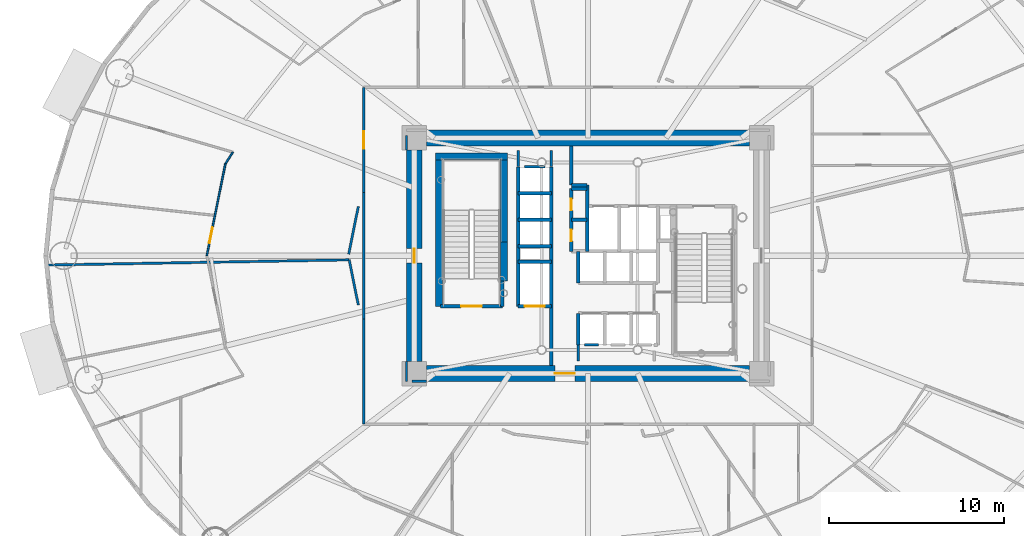
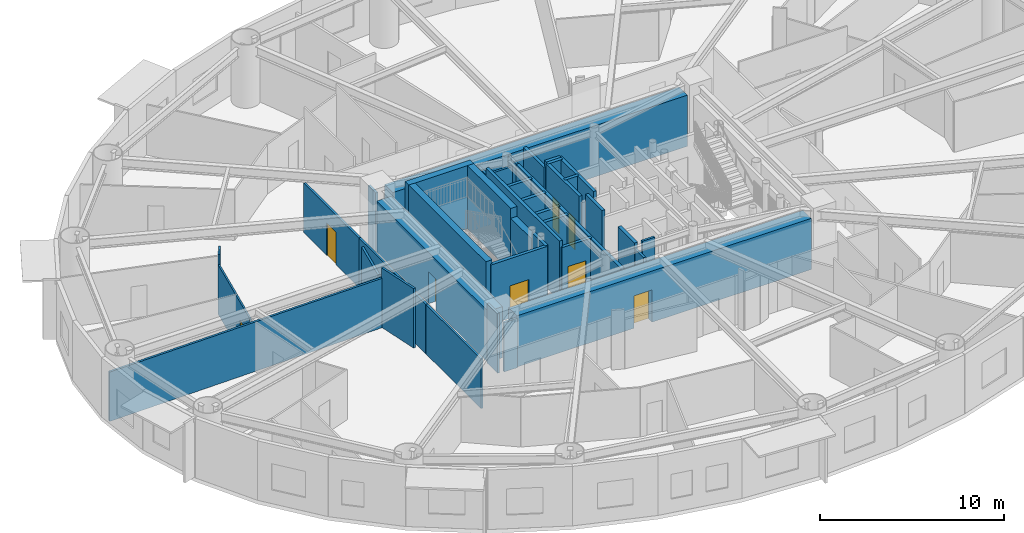
# One storey, part 9 of 21: 40 walls, 8 doors, 8 openings.
"""IFC4 building model written with IfcOpenShell, lengths in metres."""

from ifc_helpers import new_model, si_unit, direction, frame, frame_2d, origin, origin_2d, place, context, subcontext, project, spatial, rectangle, extrude, source, transform, mapped, material, layer, layer_set, type_object, element, fill, save


model = new_model("IFC4")

# Units and contexts
model_context = context("Model", 3, precision=1e-05, world=origin(), true_north=direction((0.0, 1.0)))
body_context = subcontext(model_context, "Body", "Model", "MODEL_VIEW")
ifc_project = project(units=[si_unit("LENGTHUNIT", "METRE"), si_unit("AREAUNIT", "SQUARE_METRE"), si_unit("VOLUMEUNIT", "CUBIC_METRE"), si_unit("PLANEANGLEUNIT", "RADIAN"), si_unit("MASSUNIT", "GRAM", prefix="KILO")], contexts=[model_context])

# Site, building, storey
site_placement = place(None, origin())
site = spatial("IfcSite", under=ifc_project, at=site_placement, CompositionType="ELEMENT")
building_placement = place(site_placement, origin())
building = spatial("IfcBuilding", under=site, at=building_placement, Name="Linh Dai School and Residence Tower", CompositionType="ELEMENT")
storey_placement = place(building_placement, frame((0.0, 0.0, 78.60009765625)))
storey = spatial("IfcBuildingStorey", under=building, at=storey_placement, Name="L18", CompositionType="ELEMENT", Elevation=78.60009765625)

# Walls
ifc_material_1 = material(Name="Autoclaved Aerated Concrete Blockwork", Category="masonry")
ifc_layer_1 = layer(ifc_material_1, 0.135009765625)
ifc_layer_set_1 = layer_set([ifc_layer_1], Name="Autoclaved Aerated Concrete Blockwork")
wall_type_1 = type_object("IfcWallType", Name="IW-CORR-135-EI90", PredefinedType="PARTITIONING", material=ifc_layer_set_1)
wall_1_placement = place(storey_placement, frame((4.9736328125, 26.466064453125, 0.0), z_axis=(0.0, 0.0, 1.0), x_axis=(0.999851881099, 0.017210922752, 0.0)))
element("IfcWall", 1, at=wall_1_placement, inside=storey, type_object=wall_type_1, Name="L18 Interior Partition Wall 001", PredefinedType="PARTITIONING", context=body_context, shape_type="SweptSolid", body=[
    extrude(rectangle(XDim=17.3486328125, YDim=0.135009765625, at=frame_2d((8.67431640625, 0.0))), origin(), (0.0, 0.0, 1.0), 3.284912109375),
])
wall_2_placement = place(storey_placement, frame((23.14990234375, 17.35009765625, 0.0), z_axis=(0.0, 0.0, 1.0), x_axis=(0.0, 1.0, 0.0)))
element("IfcWall", 2, at=wall_2_placement, inside=storey, type_object=wall_type_1, Name="L18 Interior Partition Wall 018", PredefinedType="PARTITIONING", context=body_context, shape_type="SweptSolid", body=[
    extrude(rectangle(XDim=6.011474609375, YDim=0.135009765625, at=frame_2d((3.005859375, 0.0))), origin(), (0.0, 0.0, 1.0), 3.284912109375),
])

# Wall, opening, door
wall_3_placement = place(storey_placement, frame((23.14990234375, 30.638427734375, 0.0), z_axis=(0.0, 0.0, 1.0), x_axis=(0.0, 1.0, 0.0)))
wall_3 = element("IfcWall", 3, at=wall_3_placement, inside=storey, type_object=wall_type_1, Name="L18 Interior Partition Wall 020", PredefinedType="PARTITIONING", context=body_context, shape_type="SweptSolid", body=[
    extrude(rectangle(XDim=6.011474609375, YDim=0.135009765625, at=frame_2d((3.005859375, 0.0))), origin(), (0.0, 0.0, 1.0), 3.284912109375),
])
opening_1_placement = place(wall_3_placement, frame((2.505859375, 0.0, 0.0)))
opening_1 = element("IfcOpeningElement", 4, at=opening_1_placement, cuts=wall_3, Name="Opening D03", PredefinedType="OPENING", context=body_context, shape_type="SweptSolid", body=[
    extrude(rectangle(XDim=1.0, YDim=2.14990234375, at=origin_2d()), frame((0.5, 0.07763671875, 1.074951171875), z_axis=(0.0, -1.0, 0.0), x_axis=(1.0, 0.0, 0.0)), (0.0, 0.0, 1.0), 0.155029296875),
])
ifc_material_2 = material(Name="Fire-Rated Solid Timber Entrance Door", Category="wood")
door_type_1 = type_object("IfcDoorType", Name="DR-FLAT-1000x2150-FD60S", OperationType="NOTDEFINED", PredefinedType="DOOR", material=ifc_material_2)
shared_shape_1 = source(origin(), body_context, "Body", "SweptSolid", [
    extrude(rectangle(XDim=1.0, YDim=2.14990234375, at=origin_2d()), frame((0.5, 0.02490234375, 1.074951171875), z_axis=(0.0, -1.0, 0.0), x_axis=(1.0, 0.0, 0.0)), (0.0, 0.0, 1.0), 0.050048828125),
])
door_1_placement = place(opening_1_placement, origin())
door_1 = element("IfcDoor", 5, at=door_1_placement, inside=storey, type_object=door_type_1, Name="L18 U1801 Apartment Entrance Door", OperationType="SINGLE_SWING_LEFT", OverallHeight=2.14990234375, OverallWidth=1.0, PredefinedType="DOOR", context=body_context, shape_type="MappedRepresentation", body=[
    mapped(shared_shape_1, transform((0.0, 0.0, 0.0), x_axis=(1.0, 0.0, 0.0), y_axis=(0.0, 1.0, 0.0), z_axis=(0.0, 0.0, 1.0), scale=1.0)),
])
fill(opening_1, door_1)

# Walls
wall_4_placement = place(storey_placement, frame((36.60009765625, 21.89990234375, 0.0), z_axis=(0.0, 0.0, 1.0), x_axis=(-1.0, 0.0, 0.0)))
element("IfcWall", 6, at=wall_4_placement, inside=storey, type_object=wall_type_1, Name="L18 Interior Partition Wall 101", PredefinedType="PARTITIONING", context=body_context, shape_type="SweptSolid", body=[
    extrude(rectangle(XDim=0.7900390625, YDim=0.135009765625, at=frame_2d((0.39501953125, 0.0))), origin(), (0.0, 0.0, 1.0), 3.949951171875),
])
wall_5_placement = place(storey_placement, frame((32.360107421875, 32.10009765625, 0.0), z_axis=(0.0, 0.0, 1.0), x_axis=(1.0, 0.0, 0.0)))
element("IfcWall", 7, at=wall_5_placement, inside=storey, type_object=wall_type_1, Name="L18 Interior Partition Wall 104", PredefinedType="PARTITIONING", context=body_context, shape_type="SweptSolid", body=[
    extrude(rectangle(XDim=1.179931640625, YDim=0.135009765625, at=frame_2d((0.58984375, 0.0))), origin(), (0.0, 0.0, 1.0), 3.534912109375),
])
wall_6_placement = place(storey_placement, frame((32.0, 33.0400390625, 0.0), z_axis=(0.0, 0.0, 1.0), x_axis=(0.0, -1.0, 0.0)))
element("IfcWall", 8, at=wall_6_placement, inside=storey, type_object=wall_type_1, Name="L18 Interior Partition Wall 106", PredefinedType="PARTITIONING", context=body_context, shape_type="SweptSolid", body=[
    extrude(rectangle(XDim=0.929931640625, YDim=0.135009765625, at=frame_2d((0.46484375, 0.0))), origin(), (0.0, 0.0, 1.0), 3.48486328125),
])
for number, where, z_axis, x_axis, name in (
    (9, (35.449951171875, 21.889892578125, 0.0), (0.0, 0.0, 1.0), (0.0, -1.0, 0.0), "L18 Interior Partition Wall 108"),
    (10, (33.89990234375, 32.110107421875, 0.0), (0.0, 0.0, 1.0), (0.0, 1.0, 0.0), "L18 Interior Partition Wall 109"),
):
    element("IfcWall", number, at=place(storey_placement, frame(where, z_axis=z_axis, x_axis=x_axis)), inside=storey, type_object=wall_type_1, Name=name, PredefinedType="PARTITIONING", context=body_context, shape_type="SweptSolid", body=[
        extrude(rectangle(XDim=0.929931640625, YDim=0.135009765625, at=frame_2d((0.46484375, 0.0))), origin(), (0.0, 0.0, 1.0), 3.534912109375),
    ])
wall_7_placement = place(storey_placement, frame((23.14990234375, 23.37158203125, 0.0), z_axis=(0.0, 0.0, 1.0), x_axis=(0.0, 1.0, 0.0)))
element("IfcWall", 11, at=wall_7_placement, inside=storey, type_object=wall_type_1, Name="L18 Interior Partition Wall 115", PredefinedType="PARTITIONING", context=body_context, shape_type="SweptSolid", body=[
    extrude(rectangle(XDim=7.2568359375, YDim=0.135009765625, at=frame_2d((3.62841796875, 0.0))), origin(), (0.0, 0.0, 1.0), 3.284912109375),
])
wall_8_placement = place(storey_placement, frame((25.60009765625, 33.892578125, 0.0), z_axis=(0.0, 0.0, 1.0), x_axis=(0.0, -1.0, 0.0)))
element("IfcWall", 12, at=wall_8_placement, inside=storey, type_object=wall_type_1, Name="L18 Interior Partition Wall 118", PredefinedType="PARTITIONING", context=body_context, shape_type="SweptSolid", body=[
    extrude(rectangle(XDim=0.83251953125, YDim=0.135009765625, at=frame_2d((0.416259765625, 0.0))), origin(), (0.0, 0.0, 1.0), 3.949951171875),
])
wall_9_placement = place(storey_placement, frame((25.60009765625, 20.93994140625, 0.0), z_axis=(0.0, 0.0, 1.0), x_axis=(0.0, -1.0, 0.0)))
element("IfcWall", 13, at=wall_9_placement, inside=storey, type_object=wall_type_1, Name="L18 Interior Partition Wall 119", PredefinedType="PARTITIONING", context=body_context, shape_type="SweptSolid", body=[
    extrude(rectangle(XDim=1.139892578125, YDim=0.135009765625, at=frame_2d((0.56982421875, 0.0))), origin(), (0.0, 0.0, 1.0), 3.949951171875),
])
wall_10_placement = place(storey_placement, frame((25.907470703125, 19.800048828125, 0.0), z_axis=(0.0, 0.0, 1.0), x_axis=(1.0, 0.0, 0.0)))
element("IfcWall", 14, at=wall_10_placement, inside=storey, type_object=wall_type_1, Name="L18 Interior Partition Wall 120", PredefinedType="PARTITIONING", context=body_context, shape_type="SweptSolid", body=[
    extrude(rectangle(XDim=0.83251953125, YDim=0.135009765625, at=frame_2d((0.416259765625, 0.0))), origin(), (0.0, 0.0, 1.0), 3.284912109375),
])
wall_11_placement = place(storey_placement, frame((22.842529296875, 29.8203125, 0.0), z_axis=(0.0, 0.0, 1.0), x_axis=(-0.198274261102, -0.98014657954, 0.0)))
element("IfcWall", 15, at=wall_11_placement, inside=storey, type_object=wall_type_1, Name="L18 Interior Partition Wall 126", PredefinedType="PARTITIONING", context=body_context, shape_type="SweptSolid", body=[
    extrude(rectangle(XDim=2.783935546875, YDim=0.135009765625, at=frame_2d((1.39208984375, 0.0))), origin(), (0.0, 0.0, 1.0), 3.284912109375),
])
wall_12_placement = place(storey_placement, frame((22.319580078125, 26.7646484375, 0.0), z_axis=(0.0, 0.0, 1.0), x_axis=(0.198287516938, -0.980143897918, 0.0)))
element("IfcWall", 16, at=wall_12_placement, inside=storey, type_object=wall_type_1, Name="L18 Interior Partition Wall 128", PredefinedType="PARTITIONING", context=body_context, shape_type="SweptSolid", body=[
    extrude(rectangle(XDim=2.63720703125, YDim=0.135009765625, at=frame_2d((1.318603515625, 0.0))), origin(), (0.0, 0.0, 1.0), 3.949951171875),
])

# Wall, opening, door
ifc_material_3 = material(Name="Concrete B45 (C35/45)", Category="concrete")
ifc_layer_2 = layer(ifc_material_3, 0.199951171875)
ifc_layer_set_2 = layer_set([ifc_layer_2], Name="Concrete B45 (C35/45)")
wall_type_2 = type_object("IfcWallType", Name="IW-SHAFT-200-EI120", PredefinedType="PARTITIONING", material=ifc_layer_set_2)
wall_13_placement = place(storey_placement, frame((27.56005859375, 24.10009765625, 0.0), z_axis=(0.0, 0.0, 1.0), x_axis=(1.0, 0.0, 0.0)))
wall_13 = element("IfcWall", 17, at=wall_13_placement, inside=storey, type_object=wall_type_2, Name="L18 Interior Partition Wall 026", PredefinedType="PARTITIONING", context=body_context, shape_type="SweptSolid", body=[
    extrude(rectangle(XDim=3.5400390625, YDim=0.199951171875, at=frame_2d((1.77001953125, 0.0))), origin(), (0.0, 0.0, 1.0), 3.949951171875),
])
opening_2_placement = place(wall_13_placement, frame((1.169921875, 0.0, 0.0)))
opening_2 = element("IfcOpeningElement", 18, at=opening_2_placement, cuts=wall_13, Name="Opening D01", PredefinedType="OPENING", context=body_context, shape_type="SweptSolid", body=[
    extrude(rectangle(XDim=1.199951171875, YDim=2.14990234375, at=origin_2d()), frame((0.60009765625, 0.10986328125, 1.074951171875), z_axis=(0.0, -1.0, 0.0), x_axis=(1.0, 0.0, 0.0)), (0.0, 0.0, 1.0), 0.219970703125),
])
ifc_material_4 = material(Name="Fire-Rated Steel Door Leaf", Category="steel")
door_type_2 = type_object("IfcDoorType", Name="DR-STAIR-1200x2150-FD90S", OperationType="NOTDEFINED", PredefinedType="DOOR", material=ifc_material_4)
shared_shape_2 = source(origin(), body_context, "Body", "SweptSolid", [
    extrude(rectangle(XDim=1.199951171875, YDim=2.14990234375, at=origin_2d()), frame((0.60009765625, 0.02490234375, 1.074951171875), z_axis=(0.0, -1.0, 0.0), x_axis=(1.0, 0.0, 0.0)), (0.0, 0.0, 1.0), 0.050048828125),
])
door_2_placement = place(opening_2_placement, origin())
door_2 = element("IfcDoor", 19, at=door_2_placement, inside=storey, type_object=door_type_2, Name="L18 Core Smokeproof Exit Stair ST1 Door", OperationType="SINGLE_SWING_LEFT", OverallHeight=2.14990234375, OverallWidth=1.199951171875, PredefinedType="DOOR", context=body_context, shape_type="MappedRepresentation", body=[
    mapped(shared_shape_2, transform((0.0, 0.0, 0.0), x_axis=(1.0, 0.0, 0.0), y_axis=(0.0, 1.0, 0.0), z_axis=(0.0, 0.0, 1.0), scale=1.0)),
])
fill(opening_2, door_2)

# Walls
wall_14_placement = place(storey_placement, frame((31.10009765625, 24.10009765625, 0.0), z_axis=(0.0, 0.0, 1.0), x_axis=(0.0, 1.0, 0.0)))
element("IfcWall", 20, at=wall_14_placement, inside=storey, type_object=wall_type_2, Name="L18 Interior Partition Wall 033", PredefinedType="PARTITIONING", context=body_context, shape_type="SweptSolid", body=[
    extrude(rectangle(XDim=1.43994140625, YDim=0.199951171875, at=frame_2d((0.719970703125, 0.0))), origin(), (0.0, 0.0, 1.0), 3.949951171875),
])
wall_15_placement = place(storey_placement, frame((32.0, 24.10009765625, 0.0), z_axis=(0.0, 0.0, 1.0), x_axis=(0.0, 1.0, 0.0)))
element("IfcWall", 21, at=wall_15_placement, inside=storey, type_object=wall_type_2, Name="L18 Interior Partition Wall 034", PredefinedType="PARTITIONING", context=body_context, shape_type="SweptSolid", body=[
    extrude(rectangle(XDim=8.0, YDim=0.199951171875, at=frame_2d((4.0, 0.0))), origin(), (0.0, 0.0, 1.0), 3.949951171875),
])

# Wall, opening, door
wall_16_placement = place(storey_placement, frame((32.0, 24.10009765625, 0.0), z_axis=(0.0, 0.0, 1.0), x_axis=(1.0, 0.0, 0.0)))
wall_16 = element("IfcWall", 22, at=wall_16_placement, inside=storey, type_object=wall_type_2, Name="L18 Interior Partition Wall 035", PredefinedType="PARTITIONING", context=body_context, shape_type="SweptSolid", body=[
    extrude(rectangle(XDim=1.89990234375, YDim=0.199951171875, at=frame_2d((0.949951171875, 0.0))), origin(), (0.0, 0.0, 1.0), 3.534912109375),
])
opening_3_placement = place(wall_16_placement, frame((0.375, 0.0, 0.0)))
opening_3 = element("IfcOpeningElement", 23, at=opening_3_placement, cuts=wall_16, Name="Opening LD-FF2", PredefinedType="OPENING", context=body_context, shape_type="SweptSolid", body=[
    extrude(rectangle(XDim=1.14990234375, YDim=2.14990234375, at=origin_2d()), frame((0.574951171875, 0.10986328125, 1.074951171875), z_axis=(0.0, -1.0, 0.0), x_axis=(1.0, 0.0, 0.0)), (0.0, 0.0, 1.0), 0.219970703125),
])
ifc_material_5 = material(Name="Fire-Rated Stainless Steel Firefighting Lift Door", Category="steel")
door_type_3 = type_object("IfcDoorType", Name="DR-LD-FF-1150x2150-FD120", OperationType="DOUBLE_DOOR_SLIDING", PredefinedType="USERDEFINED", material=ifc_material_5)
shared_shape_3 = source(origin(), body_context, "Body", "SweptSolid", [
    extrude(rectangle(XDim=1.14990234375, YDim=2.14990234375, at=origin_2d()), frame((0.574951171875, 0.02490234375, 1.074951171875), z_axis=(0.0, -1.0, 0.0), x_axis=(1.0, 0.0, 0.0)), (0.0, 0.0, 1.0), 0.050048828125),
])
door_3_placement = place(opening_3_placement, origin())
door_3 = element("IfcDoor", 24, at=door_3_placement, inside=storey, type_object=door_type_3, Name="L18 Lift FF2 Sliding Landing Door", ObjectType="LANDING DOOR", OperationType="DOUBLE_DOOR_SLIDING", OverallHeight=2.14990234375, OverallWidth=1.14990234375, PredefinedType="USERDEFINED", context=body_context, shape_type="MappedRepresentation", body=[
    mapped(shared_shape_3, transform((0.0, 0.0, 0.0), x_axis=(1.0, 0.0, 0.0), y_axis=(0.0, 1.0, 0.0), z_axis=(0.0, 0.0, 1.0), scale=1.0)),
])
fill(opening_3, door_3)

# Walls
for number, where, z_axis, x_axis, name in (
    (25, (32.0, 26.64990234375, 0.0), (0.0, 0.0, 1.0), (1.0, 0.0, 0.0), "L18 Interior Partition Wall 036"),
    (26, (32.0, 27.550048828125, 0.0), (0.0, 0.0, 1.0), (1.0, 0.0, 0.0), "L18 Interior Partition Wall 037"),
    (27, (32.0, 29.06005859375, 0.0), (0.0, 0.0, 1.0), (1.0, 0.0, 0.0), "L18 Interior Partition Wall 038"),
    (28, (32.0, 30.580078125, 0.0), (0.0, 0.0, 1.0), (1.0, 0.0, 0.0), "L18 Interior Partition Wall 039"),
):
    element("IfcWall", number, at=place(storey_placement, frame(where, z_axis=z_axis, x_axis=x_axis)), inside=storey, type_object=wall_type_2, Name=name, PredefinedType="PARTITIONING", context=body_context, shape_type="SweptSolid", body=[
        extrude(rectangle(XDim=1.89990234375, YDim=0.199951171875, at=frame_2d((0.949951171875, 0.0))), origin(), (0.0, 0.0, 1.0), 3.534912109375),
    ])
wall_17_placement = place(storey_placement, frame((33.89990234375, 20.699951171875, 0.0), z_axis=(0.0, 0.0, 1.0), x_axis=(0.0, 1.0, 0.0)))
element("IfcWall", 29, at=wall_17_placement, inside=storey, type_object=wall_type_2, Name="L18 Interior Partition Wall 041", PredefinedType="PARTITIONING", context=body_context, shape_type="SweptSolid", body=[
    extrude(rectangle(XDim=11.400146484375, YDim=0.199951171875, at=frame_2d((5.7001953125, 0.0))), origin(), (0.0, 0.0, 1.0), 3.534912109375),
])

# Wall, openings, doors
wall_18_placement = place(storey_placement, frame((35.050048828125, 27.25, 0.0), z_axis=(0.0, 0.0, 1.0), x_axis=(0.0, 1.0, 0.0)))
wall_18 = element("IfcWall", 30, at=wall_18_placement, inside=storey, type_object=wall_type_2, Name="L18 Interior Partition Wall 042", PredefinedType="PARTITIONING", context=body_context, shape_type="SweptSolid", body=[
    extrude(rectangle(XDim=3.60009765625, YDim=0.199951171875, at=frame_2d((1.800048828125, 0.0))), origin(), (0.0, 0.0, 1.0), 3.949951171875),
])
opening_4_placement = place(wall_18_placement, frame((0.590087890625, 0.0, 0.0)))
opening_4 = element("IfcOpeningElement", 31, at=opening_4_placement, cuts=wall_18, Name="Opening AD1", PredefinedType="OPENING", context=body_context, shape_type="SweptSolid", body=[
    extrude(rectangle(XDim=0.659912109375, YDim=2.050048828125, at=origin_2d()), frame((0.330078125, 0.10986328125, 1.02490234375), z_axis=(0.0, -1.0, 0.0), x_axis=(1.0, 0.0, 0.0)), (0.0, 0.0, 1.0), 0.219970703125),
])
opening_5_placement = place(wall_18_placement, frame((2.35009765625, 0.0, 0.0)))
opening_5 = element("IfcOpeningElement", 32, at=opening_5_placement, cuts=wall_18, Name="Opening AD1", PredefinedType="OPENING", context=body_context, shape_type="SweptSolid", body=[
    extrude(rectangle(XDim=0.659912109375, YDim=2.050048828125, at=origin_2d()), frame((0.330078125, 0.10986328125, 1.02490234375), z_axis=(0.0, -1.0, 0.0), x_axis=(1.0, 0.0, 0.0)), (0.0, 0.0, 1.0), 0.219970703125),
])
ifc_material_6 = material(Name="Fire-Rated Steel Riser Access Door", Category="steel")
door_type_4 = type_object("IfcDoorType", Name="DR-ACC-660x2050-FD90S", OperationType="NOTDEFINED", PredefinedType="USERDEFINED", material=ifc_material_6)
shared_shape_4 = source(origin(), body_context, "Body", "SweptSolid", [
    extrude(rectangle(XDim=0.659912109375, YDim=2.050048828125, at=origin_2d()), frame((0.330078125, 0.02490234375, 1.02490234375), z_axis=(0.0, -1.0, 0.0), x_axis=(1.0, 0.0, 0.0)), (0.0, 0.0, 1.0), 0.050048828125),
])
door_4_placement = place(opening_4_placement, origin())
door_4 = element("IfcDoor", 33, at=door_4_placement, inside=storey, type_object=door_type_4, Name="L18 Telecom and Data Riser Access Door", ObjectType="ACCESS DOOR", OperationType="SINGLE_SWING_RIGHT", OverallHeight=2.050048828125, OverallWidth=0.659912109375, PredefinedType="USERDEFINED", context=body_context, shape_type="MappedRepresentation", body=[
    mapped(shared_shape_4, transform((0.0, 0.0, 0.0), x_axis=(1.0, 0.0, 0.0), y_axis=(0.0, 1.0, 0.0), z_axis=(0.0, 0.0, 1.0), scale=1.0)),
])
fill(opening_4, door_4)
door_5_placement = place(opening_5_placement, origin())
door_5 = element("IfcDoor", 34, at=door_5_placement, inside=storey, type_object=door_type_4, Name="L18 Mechanical and Plumbing Riser Access Door", ObjectType="ACCESS DOOR", OperationType="SINGLE_SWING_LEFT", OverallHeight=2.050048828125, OverallWidth=0.659912109375, PredefinedType="USERDEFINED", context=body_context, shape_type="MappedRepresentation", body=[
    mapped(shared_shape_4, transform((0.0, 0.0, 0.0), x_axis=(1.0, 0.0, 0.0), y_axis=(0.0, 1.0, 0.0), z_axis=(0.0, 0.0, 1.0), scale=1.0)),
])
fill(opening_5, door_5)

# Walls
for number, where, z_axis, x_axis, name in (
    (35, (35.050048828125, 29.050048828125, 0.0), (0.0, 0.0, 1.0), (1.0, 0.0, 0.0), "L18 Interior Partition Wall 044"),
    (36, (35.050048828125, 30.85009765625, 0.0), (0.0, 0.0, 1.0), (1.0, 0.0, 0.0), "L18 Interior Partition Wall 045"),
):
    element("IfcWall", number, at=place(storey_placement, frame(where, z_axis=z_axis, x_axis=x_axis)), inside=storey, type_object=wall_type_2, Name=name, PredefinedType="PARTITIONING", context=body_context, shape_type="SweptSolid", body=[
        extrude(rectangle(XDim=0.89990234375, YDim=0.199951171875, at=frame_2d((0.449951171875, 0.0))), origin(), (0.0, 0.0, 1.0), 3.949951171875),
    ])
wall_19_placement = place(storey_placement, frame((35.050048828125, 31.050048828125, 0.0), z_axis=(0.0, 0.0, 1.0), x_axis=(0.0, 1.0, 0.0)))
element("IfcWall", 37, at=wall_19_placement, inside=storey, type_object=wall_type_2, Name="L18 Interior Partition Wall 046", PredefinedType="PARTITIONING", context=body_context, shape_type="SweptSolid", body=[
    extrude(rectangle(XDim=2.25, YDim=0.199951171875, at=frame_2d((1.125, 0.0))), origin(), (0.0, 0.0, 1.0), 3.534912109375),
])
wall_20_placement = place(storey_placement, frame((35.050048828125, 31.050048828125, 0.0), z_axis=(0.0, 0.0, 1.0), x_axis=(1.0, 0.0, 0.0)))
element("IfcWall", 38, at=wall_20_placement, inside=storey, type_object=wall_type_2, Name="L18 Interior Partition Wall 047", PredefinedType="PARTITIONING", context=body_context, shape_type="SweptSolid", body=[
    extrude(rectangle(XDim=0.89990234375, YDim=0.199951171875, at=frame_2d((0.449951171875, 0.0))), origin(), (0.0, 0.0, 1.0), 3.949951171875),
])
for number, where, z_axis, x_axis, name in (
    (39, (35.449951171875, 21.89990234375, 0.0), (0.0, 0.0, 1.0), (0.0, 1.0, 0.0), "L18 Interior Partition Wall 048"),
    (40, (35.449951171875, 25.449951171875, 0.0), (0.0, 0.0, 1.0), (0.0, 1.0, 0.0), "L18 Interior Partition Wall 050"),
):
    element("IfcWall", number, at=place(storey_placement, frame(where, z_axis=z_axis, x_axis=x_axis)), inside=storey, type_object=wall_type_2, Name=name, PredefinedType="PARTITIONING", context=body_context, shape_type="SweptSolid", body=[
        extrude(rectangle(XDim=1.800048828125, YDim=0.199951171875, at=frame_2d((0.89990234375, 0.0))), origin(), (0.0, 0.0, 1.0), 3.949951171875),
    ])
wall_21_placement = place(storey_placement, frame((35.949951171875, 27.25, 0.0), z_axis=(0.0, 0.0, 1.0), x_axis=(0.0, 1.0, 0.0)))
element("IfcWall", 41, at=wall_21_placement, inside=storey, type_object=wall_type_2, Name="L18 Interior Partition Wall 052", PredefinedType="PARTITIONING", context=body_context, shape_type="SweptSolid", body=[
    extrude(rectangle(XDim=3.800048828125, YDim=0.199951171875, at=frame_2d((1.89990234375, 0.0))), origin(), (0.0, 0.0, 1.0), 3.949951171875),
])

# Wall, opening, door
ifc_material_7 = material(Name="Gypsum Plasterboard Acoustic Stud Partition", Category="masonry")
ifc_layer_3 = layer(ifc_material_7, 0.10009765625)
ifc_layer_set_3 = layer_set([ifc_layer_3], Name="Gypsum Plasterboard Acoustic Stud Partition")
wall_type_3 = type_object("IfcWallType", Name="IW-UNIT-100", PredefinedType="PARTITIONING", material=ifc_layer_set_3)
wall_22_placement = place(storey_placement, frame((14.159912109375, 27.0, 0.0), z_axis=(0.0, 0.0, 1.0), x_axis=(0.198292702032, 0.980142848936, 0.0)))
wall_22 = element("IfcWall", 42, at=wall_22_placement, inside=storey, type_object=wall_type_3, Name="L18 Interior Partition Wall 011", PredefinedType="PARTITIONING", context=body_context, shape_type="SweptSolid", body=[
    extrude(rectangle(XDim=5.3916015625, YDim=0.10009765625, at=frame_2d((2.69580078125, 0.0))), origin(), (0.0, 0.0, 1.0), 3.284912109375),
])
opening_6_placement = place(wall_22_placement, frame((0.748779296875, 0.0, 0.0)))
opening_6 = element("IfcOpeningElement", 43, at=opening_6_placement, cuts=wall_22, Name="Opening D05", PredefinedType="OPENING", context=body_context, shape_type="SweptSolid", body=[
    extrude(rectangle(XDim=0.89990234375, YDim=2.10009765625, at=origin_2d()), frame((0.449951171875, 0.06005859375, 1.050048828125), z_axis=(0.0, -1.0, 0.0), x_axis=(1.0, 0.0, 0.0)), (0.0, 0.0, 1.0), 0.1201171875),
])
ifc_material_8 = material(Name="Engineered Timber Internal Door", Category="wood")
door_type_5 = type_object("IfcDoorType", Name="DR-INT-900x2100", OperationType="NOTDEFINED", PredefinedType="DOOR", material=ifc_material_8)
shared_shape_5 = source(origin(), body_context, "Body", "SweptSolid", [
    extrude(rectangle(XDim=0.89990234375, YDim=2.10009765625, at=origin_2d()), frame((0.449951171875, 0.02490234375, 1.050048828125), z_axis=(0.0, -1.0, 0.0), x_axis=(1.0, 0.0, 0.0)), (0.0, 0.0, 1.0), 0.050048828125),
])
door_6_placement = place(opening_6_placement, origin())
door_6 = element("IfcDoor", 44, at=door_6_placement, inside=storey, type_object=door_type_5, Name="L18 Apartment U1801 Study Door", OperationType="SINGLE_SWING_LEFT", OverallHeight=2.10009765625, OverallWidth=0.89990234375, PredefinedType="DOOR", context=body_context, shape_type="MappedRepresentation", body=[
    mapped(shared_shape_5, transform((0.0, 0.0, 0.0), x_axis=(1.0, 0.0, 0.0), y_axis=(0.0, 1.0, 0.0), z_axis=(0.0, 0.0, 1.0), scale=1.0)),
])
fill(opening_6, door_6)

# Walls
wall_23_placement = place(storey_placement, frame((15.22900390625, 32.284423828125, 0.0), z_axis=(0.0, 0.0, 1.0), x_axis=(0.545297991952, 0.838242268067, 0.0)))
element("IfcWall", 45, at=wall_23_placement, inside=storey, type_object=wall_type_3, Name="L18 Interior Partition Wall 013", PredefinedType="PARTITIONING", context=body_context, shape_type="SweptSolid", body=[
    extrude(rectangle(XDim=0.77587890625, YDim=0.10009765625, at=frame_2d((0.387939453125, 0.0))), origin(), (0.0, 0.0, 1.0), 3.949951171875),
])
ifc_layer_4 = layer(ifc_material_3, 0.39990234375)
ifc_layer_set_4 = layer_set([ifc_layer_4], Name="Concrete B45 (C35/45)")
wall_type_4 = type_object("IfcWallType", Name="WL-CORE400", PredefinedType="SHEAR", material=ifc_layer_set_4)
wall_24_placement = place(storey_placement, frame((27.47998046875, 24.10009765625, 0.0), z_axis=(0.0, 0.0, 1.0), x_axis=(0.0, 1.0, 0.0)))
element("IfcWall", 46, at=wall_24_placement, inside=storey, type_object=wall_type_4, Name="L18 Core Stair ST1 Bearing Wall W", PredefinedType="SHEAR", context=body_context, shape_type="SweptSolid", body=[
    extrude(rectangle(XDim=8.599853515625, YDim=0.39990234375, at=frame_2d((4.2998046875, 0.0))), origin(), (0.0, 0.0, 1.0), 4.199951171875),
])
wall_25_placement = place(storey_placement, frame((31.179931640625, 27.800048828125, 0.0), z_axis=(0.0, 0.0, 1.0), x_axis=(0.0, 1.0, 0.0)))
element("IfcWall", 47, at=wall_25_placement, inside=storey, type_object=wall_type_4, Name="L18 Core Stair ST1 Bearing Wall E", PredefinedType="SHEAR", context=body_context, shape_type="SweptSolid", body=[
    extrude(rectangle(XDim=4.89990234375, YDim=0.39990234375, at=frame_2d((2.449951171875, 0.0))), origin(), (0.0, 0.0, 1.0), 4.199951171875),
])
wall_26_placement = place(storey_placement, frame((27.280029296875, 32.699951171875, 0.0), z_axis=(0.0, 0.0, 1.0), x_axis=(1.0, 0.0, 0.0)))
element("IfcWall", 48, at=wall_26_placement, inside=storey, type_object=wall_type_4, Name="L18 Core Stair ST1 Bearing Wall N", PredefinedType="SHEAR", context=body_context, shape_type="SweptSolid", body=[
    extrude(rectangle(XDim=4.099853515625, YDim=0.39990234375, at=frame_2d((2.0498046875, 0.0))), origin(), (0.0, 0.0, 1.0), 4.199951171875),
])
wall_27_placement = place(storey_placement, frame((31.179931640625, 25.550048828125, 0.0), z_axis=(0.0, 0.0, 1.0), x_axis=(0.0, 1.0, 0.0)))
element("IfcWall", 49, at=wall_27_placement, inside=storey, type_object=wall_type_4, Name="L18 Internal Core Shear Wall IW", PredefinedType="SHEAR", context=body_context, shape_type="SweptSolid", body=[
    extrude(rectangle(XDim=2.25, YDim=0.39990234375, at=frame_2d((1.125, 0.0))), origin(), (0.0, 0.0, 1.0), 3.5498046875),
])
ifc_material_9 = material(Name="Concrete B60 (C50/60)", Category="concrete")
ifc_layer_5 = layer(ifc_material_9, 0.89990234375)
ifc_layer_set_5 = layer_set([ifc_layer_5], Name="Concrete B60 (C50/60)")
wall_type_5 = type_object("IfcWallType", Name="WL-CORE900", PredefinedType="SHEAR", material=ifc_layer_set_5)
wall_28_placement = place(storey_placement, frame((26.75, 33.75, 0.0), z_axis=(0.0, 0.0, 1.0), x_axis=(1.0, 0.0, 0.0)))
element("IfcWall", 50, at=wall_28_placement, inside=storey, type_object=wall_type_5, Name="L18 Central Core Shear Wall N", PredefinedType="SHEAR", context=body_context, shape_type="SweptSolid", body=[
    extrude(rectangle(XDim=18.5, YDim=0.89990234375, at=frame_2d((9.25, 0.0))), origin(), (0.0, 0.0, 1.0), 3.39990234375),
])

# Wall, opening, door
wall_29_placement = place(storey_placement, frame((45.25, 20.25, 0.0), z_axis=(0.0, 0.0, 1.0), x_axis=(-1.0, 0.0, 0.0)))
wall_29 = element("IfcWall", 51, at=wall_29_placement, inside=storey, type_object=wall_type_5, Name="L18 Central Core Shear Wall S", PredefinedType="SHEAR", context=body_context, shape_type="SweptSolid", body=[
    extrude(rectangle(XDim=18.5, YDim=0.89990234375, at=frame_2d((9.25, 0.0))), origin(), (0.0, 0.0, 1.0), 3.39990234375),
])
opening_7_placement = place(wall_29_placement, frame((10.0, 0.0, 0.0)))
opening_7 = element("IfcOpeningElement", 52, at=opening_7_placement, cuts=wall_29, Name="Opening D02", PredefinedType="OPENING", context=body_context, shape_type="SweptSolid", body=[
    extrude(rectangle(XDim=1.14990234375, YDim=2.14990234375, at=origin_2d()), frame((0.574951171875, 0.4599609375, 1.074951171875), z_axis=(0.0, -1.0, 0.0), x_axis=(1.0, 0.0, 0.0)), (0.0, 0.0, 1.0), 0.919921875),
])
ifc_material_10 = material(Name="Fire-Rated Glazed Steel Lobby Door", Category="steel")
door_type_6 = type_object("IfcDoorType", Name="DR-LOBBY-1150x2150-FD90S", OperationType="NOTDEFINED", PredefinedType="DOOR", material=ifc_material_10)
shared_shape_6 = source(origin(), body_context, "Body", "SweptSolid", [
    extrude(rectangle(XDim=1.14990234375, YDim=2.14990234375, at=origin_2d()), frame((0.574951171875, 0.02490234375, 1.074951171875), z_axis=(0.0, -1.0, 0.0), x_axis=(1.0, 0.0, 0.0)), (0.0, 0.0, 1.0), 0.050048828125),
])
door_7_placement = place(opening_7_placement, origin())
door_7 = element("IfcDoor", 53, at=door_7_placement, inside=storey, type_object=door_type_6, Name="L18 Passenger Foyer Access Door", OperationType="SINGLE_SWING_RIGHT", OverallHeight=2.14990234375, OverallWidth=1.14990234375, PredefinedType="DOOR", context=body_context, shape_type="MappedRepresentation", body=[
    mapped(shared_shape_6, transform((0.0, 0.0, 0.0), x_axis=(1.0, 0.0, 0.0), y_axis=(0.0, 1.0, 0.0), z_axis=(0.0, 0.0, 1.0), scale=1.0)),
])
fill(opening_7, door_7)

wall_30_placement = place(storey_placement, frame((26.050048828125, 20.949951171875, 0.0), z_axis=(0.0, 0.0, 1.0), x_axis=(0.0, 1.0, 0.0)))
wall_30 = element("IfcWall", 54, at=wall_30_placement, inside=storey, type_object=wall_type_5, Name="L18 Central Core Shear Wall W", PredefinedType="SHEAR", context=body_context, shape_type="SweptSolid", body=[
    extrude(rectangle(XDim=12.10009765625, YDim=0.89990234375, at=frame_2d((6.050048828125, 0.0))), origin(), (0.0, 0.0, 1.0), 3.39990234375),
])
opening_8_placement = place(wall_30_placement, frame((5.639892578125, 0.0, 0.0)))
opening_8 = element("IfcOpeningElement", 55, at=opening_8_placement, cuts=wall_30, Name="Opening D06", PredefinedType="OPENING", context=body_context, shape_type="SweptSolid", body=[
    extrude(rectangle(XDim=0.820068359375, YDim=2.10009765625, at=origin_2d()), frame((0.41015625, 0.4599609375, 1.050048828125), z_axis=(0.0, -1.0, 0.0), x_axis=(1.0, 0.0, 0.0)), (0.0, 0.0, 1.0), 0.919921875),
])
ifc_material_11 = material(Name="Moisture-Resistant Timber Bathroom Door", Category="wood")
door_type_7 = type_object("IfcDoorType", Name="DR-WET-820x2100", OperationType="NOTDEFINED", PredefinedType="DOOR", material=ifc_material_11)
shared_shape_7 = source(origin(), body_context, "Body", "SweptSolid", [
    extrude(rectangle(XDim=0.820068359375, YDim=2.10009765625, at=origin_2d()), frame((0.41015625, 0.02490234375, 1.050048828125), z_axis=(0.0, -1.0, 0.0), x_axis=(1.0, 0.0, 0.0)), (0.0, 0.0, 1.0), 0.050048828125),
])
door_8_placement = place(opening_8_placement, origin())
door_8 = element("IfcDoor", 56, at=door_8_placement, inside=storey, type_object=door_type_7, Name="L18 Firefighting Lobby Door", OperationType="SINGLE_SWING_RIGHT", OverallHeight=2.10009765625, OverallWidth=0.820068359375, PredefinedType="DOOR", context=body_context, shape_type="MappedRepresentation", body=[
    mapped(shared_shape_7, transform((0.0, 0.0, 0.0), x_axis=(1.0, 0.0, 0.0), y_axis=(0.0, 1.0, 0.0), z_axis=(0.0, 0.0, 1.0), scale=1.0)),
])
fill(opening_8, door_8)

save(model, "model.ifc")
